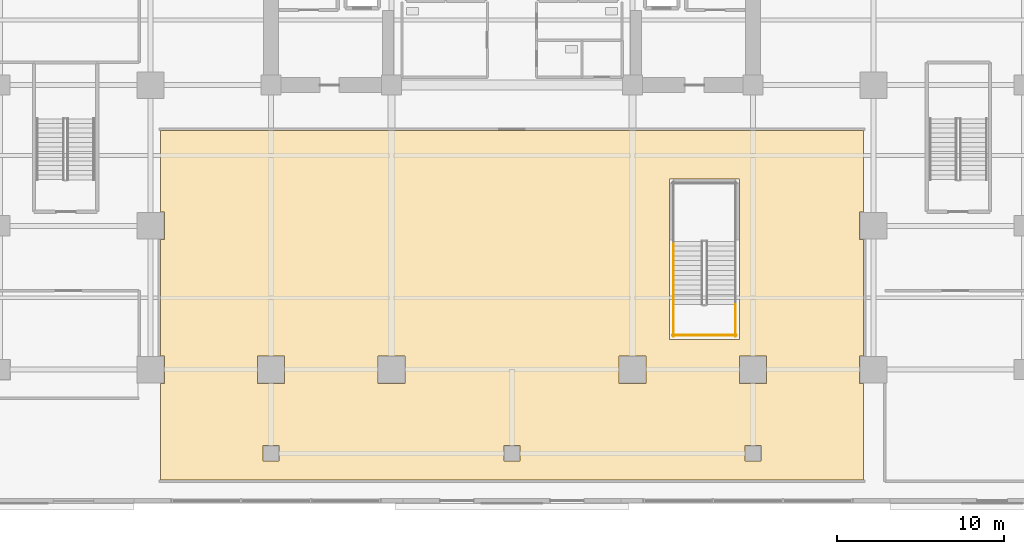
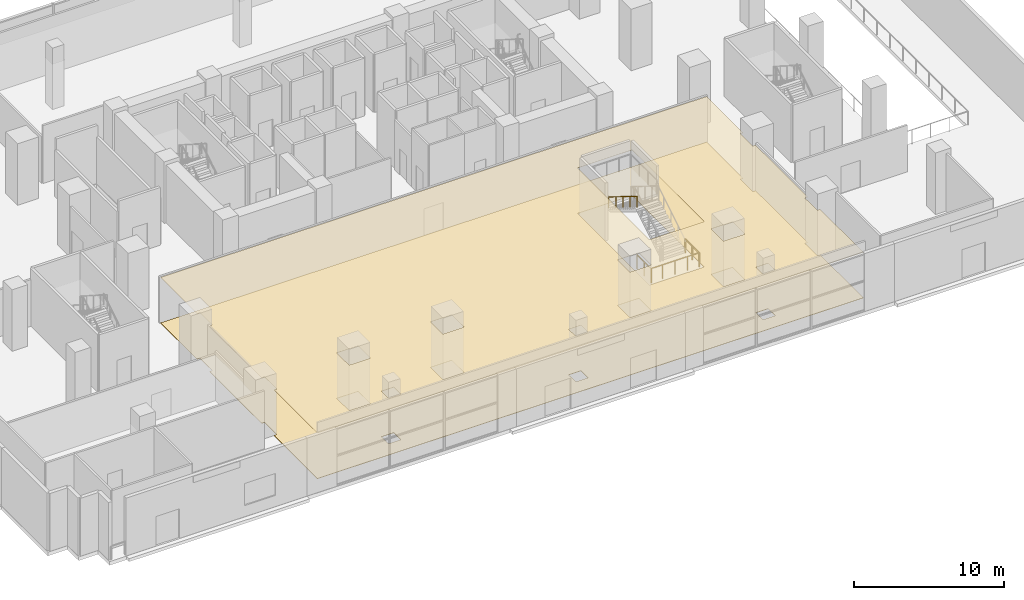
# One storey, part 20 of 27: 4 railings, 2 coverings.
"""IFC4 building model written with IfcOpenShell, lengths in metres."""

from ifc_helpers import new_model, si_unit, direction, frame, origin, origin_2d, place, context, subcontext, project, spatial, polyline, rectangle, outline, extrude, material, layer, layer_set, type_object, element, save


model = new_model("IFC4")

# Units and contexts
model_context = context("Model", 3, precision=1e-05, world=origin(), true_north=direction((0.0, 1.0)))
body_context = subcontext(model_context, "Body", "Model", "MODEL_VIEW")
ifc_project = project(units=[si_unit("LENGTHUNIT", "METRE"), si_unit("AREAUNIT", "SQUARE_METRE"), si_unit("VOLUMEUNIT", "CUBIC_METRE"), si_unit("PLANEANGLEUNIT", "RADIAN"), si_unit("MASSUNIT", "GRAM", prefix="KILO")], contexts=[model_context])

# Site, building, storey
site_placement = place(None, origin())
site = spatial("IfcSite", under=ifc_project, at=site_placement, CompositionType="ELEMENT")
building_placement = place(site_placement, origin())
building = spatial("IfcBuilding", under=site, at=building_placement, Name="Zarnakvel Exchange Tower", CompositionType="ELEMENT")
storey_placement = place(building_placement, origin())
storey = spatial("IfcBuildingStorey", under=building, at=storey_placement, Name="L00", CompositionType="ELEMENT", Elevation=0.0)

# Coverings
ifc_material_1 = material(Name="Perforated Bronze Acoustic Metal Ceiling", Category="aluminium")
ifc_layer_1 = layer(ifc_material_1, 0.02001953125)
ifc_layer_set_1 = layer_set([ifc_layer_1], Name="Perforated Bronze Acoustic Metal Ceiling")
covering_type_1 = type_object("IfcCoveringType", Name="CLG-01", PredefinedType="CEILING", material=ifc_layer_set_1)
covering_1_placement = place(storey_placement, frame((0.0, 0.0, 3.708984375)))
element("IfcCovering", 1, at=covering_1_placement, inside=storey, type_object=covering_type_1, Name="L00 Suspended Acoustic Ceiling (Grand Entrance Hall and Exchange Concourse)", PredefinedType="CEILING", context=body_context, shape_type="SweptSolid", body=[
    extrude(outline(polyline([(21.0, -3.909912109375), (21.0, -8.780029296875), (20.780029296875, -8.780029296875), (20.780029296875, -10.419921875), (21.0, -10.419921875), (21.0, -17.3798828125), (20.780029296875, -17.3798828125), (20.780029296875, -19.02001953125), (21.0, -19.02001953125), (21.0, -24.800048828125), (-21.0, -24.800048828125), (-21.0, -19.02001953125), (-20.780029296875, -19.02001953125), (-20.780029296875, -17.3798828125), (-21.0, -17.3798828125), (-21.0, -10.419921875), (-20.780029296875, -10.419921875), (-20.780029296875, -8.780029296875), (-21.0, -8.780029296875), (-21.0, -3.909912109375), (21.0, -3.909912109375)]), holes=[polyline([(9.39990234375, -6.800048828125), (9.39990234375, -16.39990234375), (13.60009765625, -16.39990234375), (13.60009765625, -6.800048828125), (9.39990234375, -6.800048828125)]), polyline([(13.580078125, -19.02001953125), (15.219970703125, -19.02001953125), (15.219970703125, -17.3798828125), (13.580078125, -17.3798828125), (13.580078125, -19.02001953125)]), polyline([(13.929931640625, -23.669921875), (14.8701171875, -23.669921875), (14.8701171875, -22.72998046875), (13.929931640625, -22.72998046875), (13.929931640625, -23.669921875)]), polyline([(8.02001953125, -19.02001953125), (8.02001953125, -17.3798828125), (6.3798828125, -17.3798828125), (6.3798828125, -19.02001953125), (8.02001953125, -19.02001953125)]), polyline([(0.469970703125, -23.669921875), (0.469970703125, -22.72998046875), (-0.469970703125, -22.72998046875), (-0.469970703125, -23.669921875), (0.469970703125, -23.669921875)]), polyline([(-8.02001953125, -19.02001953125), (-6.3798828125, -19.02001953125), (-6.3798828125, -17.3798828125), (-8.02001953125, -17.3798828125), (-8.02001953125, -19.02001953125)]), polyline([(-13.580078125, -19.02001953125), (-13.580078125, -17.3798828125), (-15.219970703125, -17.3798828125), (-15.219970703125, -19.02001953125), (-13.580078125, -19.02001953125)]), polyline([(-14.8701171875, -23.669921875), (-13.929931640625, -23.669921875), (-13.929931640625, -22.72998046875), (-14.8701171875, -22.72998046875), (-14.8701171875, -23.669921875)])]), origin(), (0.0, 0.0, 1.0), 0.02001953125),
])
ifc_material_2 = material(Name="Honed Limestone & Turquoise Inlay Stone", Category="masonry")
ifc_layer_2 = layer(ifc_material_2, 0.030029296875)
ifc_layer_set_2 = layer_set([ifc_layer_2], Name="Honed Limestone & Turquoise Inlay Stone")
covering_type_2 = type_object("IfcCoveringType", Name="FLR-01", PredefinedType="FLOORING", material=ifc_layer_set_2)
covering_2_placement = place(storey_placement, origin())
element("IfcCovering", 2, at=covering_2_placement, inside=storey, type_object=covering_type_2, Name="L00 Floor Finish (Grand Entrance Hall and Exchange Concourse)", PredefinedType="FLOORING", context=body_context, shape_type="SweptSolid", body=[
    extrude(outline(polyline([(21.0, -3.909912109375), (21.0, -8.780029296875), (20.780029296875, -8.780029296875), (20.780029296875, -10.419921875), (21.0, -10.419921875), (21.0, -17.3798828125), (20.780029296875, -17.3798828125), (20.780029296875, -19.02001953125), (21.0, -19.02001953125), (21.0, -24.800048828125), (-21.0, -24.800048828125), (-21.0, -19.02001953125), (-20.780029296875, -19.02001953125), (-20.780029296875, -17.3798828125), (-21.0, -17.3798828125), (-21.0, -10.419921875), (-20.780029296875, -10.419921875), (-20.780029296875, -8.780029296875), (-21.0, -8.780029296875), (-21.0, -3.909912109375), (21.0, -3.909912109375)]), holes=[polyline([(9.39990234375, -6.800048828125), (9.39990234375, -16.39990234375), (13.60009765625, -16.39990234375), (13.60009765625, -6.800048828125), (9.39990234375, -6.800048828125)]), polyline([(13.580078125, -19.02001953125), (15.219970703125, -19.02001953125), (15.219970703125, -17.3798828125), (13.580078125, -17.3798828125), (13.580078125, -19.02001953125)]), polyline([(13.929931640625, -23.669921875), (14.8701171875, -23.669921875), (14.8701171875, -22.72998046875), (13.929931640625, -22.72998046875), (13.929931640625, -23.669921875)]), polyline([(8.02001953125, -19.02001953125), (8.02001953125, -17.3798828125), (6.3798828125, -17.3798828125), (6.3798828125, -19.02001953125), (8.02001953125, -19.02001953125)]), polyline([(0.469970703125, -23.669921875), (0.469970703125, -22.72998046875), (-0.469970703125, -22.72998046875), (-0.469970703125, -23.669921875), (0.469970703125, -23.669921875)]), polyline([(-8.02001953125, -19.02001953125), (-6.3798828125, -19.02001953125), (-6.3798828125, -17.3798828125), (-8.02001953125, -17.3798828125), (-8.02001953125, -19.02001953125)]), polyline([(-13.580078125, -19.02001953125), (-13.580078125, -17.3798828125), (-15.219970703125, -17.3798828125), (-15.219970703125, -19.02001953125), (-13.580078125, -19.02001953125)]), polyline([(-14.8701171875, -23.669921875), (-13.929931640625, -23.669921875), (-13.929931640625, -22.72998046875), (-14.8701171875, -22.72998046875), (-14.8701171875, -23.669921875)])]), origin(), (0.0, 0.0, 1.0), 0.030029296875),
])

# Railings
ifc_material_3 = material(Name="Brushed Stainless Steel", Category="steel")
railing_type_1 = type_object("IfcRailingType", Name="HR-01", PredefinedType="HANDRAIL", material=ifc_material_3)
railing_1_placement = place(storey_placement, frame((9.64990234375, -10.530029296875, 2.678466796875)))
element("IfcRailing", 3, at=railing_1_placement, inside=storey, type_object=railing_type_1, Name="L00 ST-06 stair handrail 2", PredefinedType="HANDRAIL", context=body_context, shape_type="SweptSolid", body=[
    extrude(rectangle(XDim=0.048095703125, YDim=0.048095703125, at=origin_2d()), frame((0.0, 0.0, 0.8759765625), z_axis=(0.0, -0.851504923564, 0.524346607834), x_axis=(1.0, 0.0, 0.0)), (0.0, 0.0, 1.0), 4.427490234375),
    extrude(rectangle(XDim=0.0419921875, YDim=0.0419921875, at=origin_2d()), origin(), (0.0, 0.0, 1.0), 0.851806640625),
    extrude(rectangle(XDim=0.0419921875, YDim=0.0419921875, at=origin_2d()), frame((0.0, -0.9423828125, 0.580322265625)), (0.0, 0.0, 1.0), 0.851806640625),
    extrude(rectangle(XDim=0.0419921875, YDim=0.0419921875, at=origin_2d()), frame((0.0, -1.885009765625, 1.16064453125)), (0.0, 0.0, 1.0), 0.851806640625),
    extrude(rectangle(XDim=0.0419921875, YDim=0.0419921875, at=origin_2d()), frame((0.0, -2.82763671875, 1.7412109375)), (0.0, 0.0, 1.0), 0.851806640625),
    extrude(rectangle(XDim=0.0419921875, YDim=0.0419921875, at=origin_2d()), frame((0.0, -3.77001953125, 2.321533203125)), (0.0, 0.0, 1.0), 0.851806640625),
])
ifc_material_4 = material(Name="Architectural Bronze Anodised Aluminium", Category="aluminium")
railing_type_2 = type_object("IfcRailingType", Name="SG-01", PredefinedType="GUARDRAIL", material=ifc_material_4)
for number, where, name in (
    (4, (13.35009765625, -16.199951171875, 0.0), "L00 ST-06 stair guard 8"),
    (5, (9.64990234375, -16.199951171875, 0.0), "L00 ST-06 stair guard 9"),
):
    element("IfcRailing", number, at=place(storey_placement, frame(where)), inside=storey, type_object=railing_type_2, Name=name, PredefinedType="GUARDRAIL", context=body_context, shape_type="SweptSolid", body=[
        extrude(rectangle(XDim=0.048095703125, YDim=0.048095703125, at=origin_2d()), frame((0.0, 0.0, 1.1259765625), z_axis=(0.0, 1.0, 0.0), x_axis=(-1.0, 0.0, 0.0)), (0.0, 0.0, 1.0), 1.89990234375),
        extrude(rectangle(XDim=0.0419921875, YDim=0.0419921875, at=origin_2d()), origin(), (0.0, 0.0, 1.0), 1.101806640625),
        extrude(rectangle(XDim=0.0419921875, YDim=0.0419921875, at=origin_2d()), frame((0.0, 0.949951171875, 0.0)), (0.0, 0.0, 1.0), 1.101806640625),
        extrude(rectangle(XDim=0.0419921875, YDim=0.0419921875, at=origin_2d()), frame((0.0, 1.89990234375, 0.0)), (0.0, 0.0, 1.0), 1.101806640625),
    ])
railing_2_placement = place(storey_placement, frame((13.39990234375, -16.14990234375, 0.0)))
element("IfcRailing", 6, at=railing_2_placement, inside=storey, type_object=railing_type_2, Name="L00 ST-06 stair guard 10", PredefinedType="GUARDRAIL", context=body_context, shape_type="SweptSolid", body=[
    extrude(rectangle(XDim=0.048095703125, YDim=0.048095703125, at=origin_2d()), frame((0.0, 0.0, 1.1259765625), z_axis=(-1.0, 0.0, 0.0), x_axis=(0.0, -1.0, 0.0)), (0.0, 0.0, 1.0), 3.7998046875),
    extrude(rectangle(XDim=0.0419921875, YDim=0.0419921875, at=origin_2d()), origin(), (0.0, 0.0, 1.0), 1.101806640625),
    extrude(rectangle(XDim=0.0419921875, YDim=0.0419921875, at=origin_2d()), frame((-0.949951171875, 0.0, 0.0)), (0.0, 0.0, 1.0), 1.101806640625),
    extrude(rectangle(XDim=0.0419921875, YDim=0.0419921875, at=origin_2d()), frame((-1.89990234375, 0.0, 0.0)), (0.0, 0.0, 1.0), 1.101806640625),
    extrude(rectangle(XDim=0.0419921875, YDim=0.0419921875, at=origin_2d()), frame((-2.849853515625, 0.0, 0.0)), (0.0, 0.0, 1.0), 1.101806640625),
    extrude(rectangle(XDim=0.0419921875, YDim=0.0419921875, at=origin_2d()), frame((-3.7998046875, 0.0, 0.0)), (0.0, 0.0, 1.0), 1.101806640625),
])

save(model, "model.ifc")
